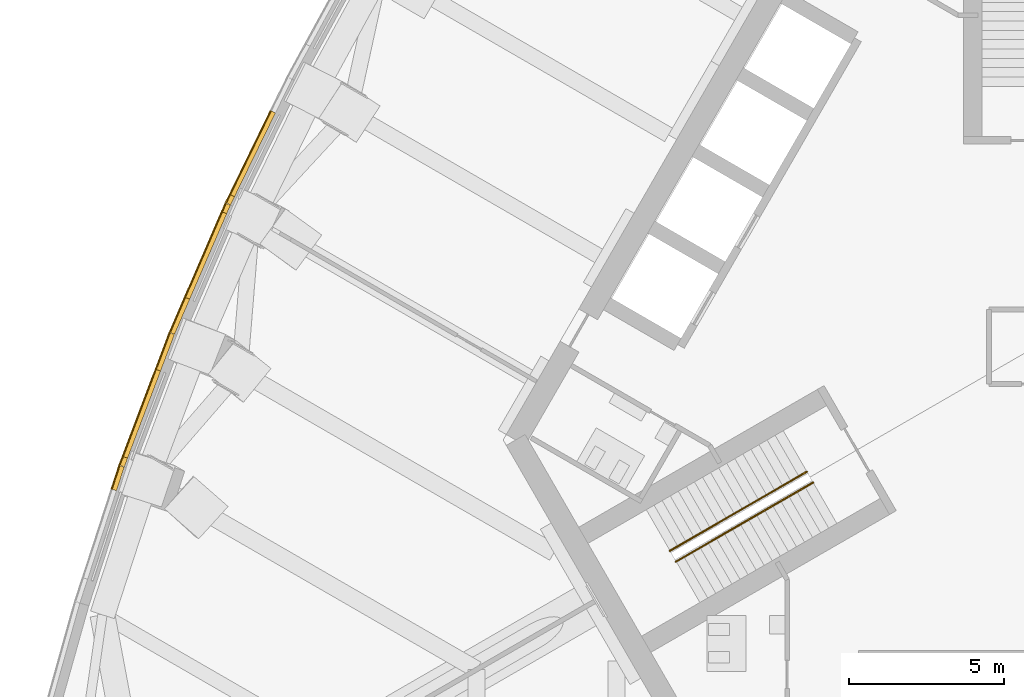
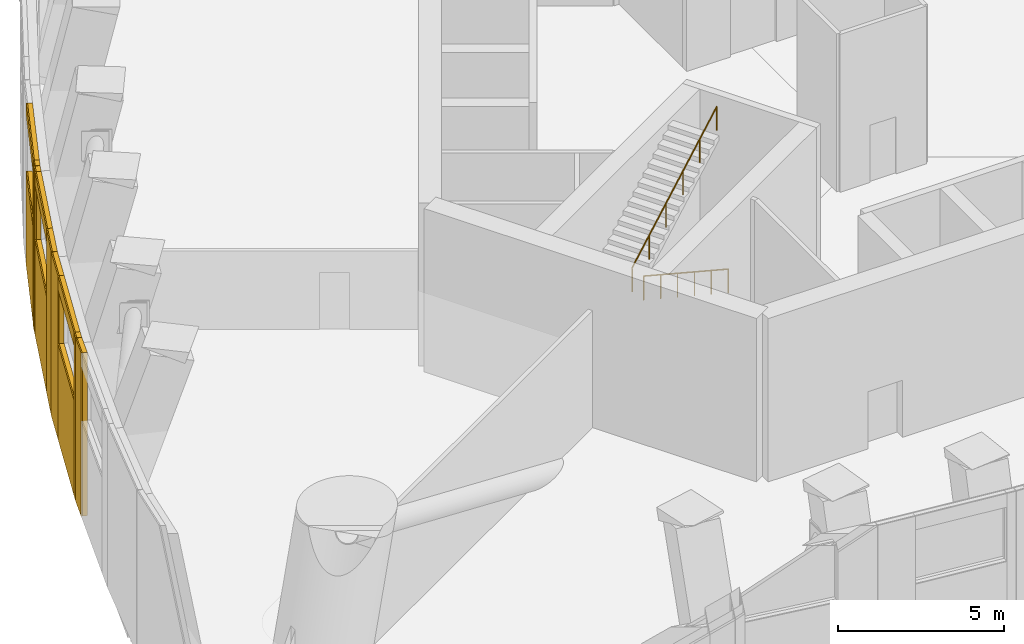
# One storey, part 12 of 22: 24 coverings, 2 railings.
"""IFC4 building model written with IfcOpenShell, lengths in metres."""

from ifc_helpers import new_model, si_unit, direction, frame, origin, origin_2d, place, context, subcontext, project, spatial, rectangle, circle, extrude, material, layer, layer_set, type_object, element, save


model = new_model("IFC4")

# Units and contexts
model_context = context("Model", 3, precision=1e-05, world=origin(), true_north=direction((0.0, 1.0)))
body_context = subcontext(model_context, "Body", "Model", "MODEL_VIEW")
ifc_project = project(units=[si_unit("LENGTHUNIT", "METRE"), si_unit("AREAUNIT", "SQUARE_METRE"), si_unit("VOLUMEUNIT", "CUBIC_METRE"), si_unit("PLANEANGLEUNIT", "RADIAN"), si_unit("MASSUNIT", "GRAM", prefix="KILO")], contexts=[model_context])

# Site, building, storey
site_placement = place(None, origin())
site = spatial("IfcSite", under=ifc_project, at=site_placement, CompositionType="ELEMENT")
building_placement = place(site_placement, origin())
building = spatial("IfcBuilding", under=site, at=building_placement, Name="Trefoil Bronze Tower", CompositionType="ELEMENT")
storey_placement = place(building_placement, frame((0.0, 0.0, 265.300048828125)))
storey = spatial("IfcBuildingStorey", under=building, at=storey_placement, Name="L61", CompositionType="ELEMENT", Elevation=265.300048828125)

# Coverings
ifc_material_1 = material(Name="Bronze-finish aluminium rainscreen panel on aluminium rails", Category="aluminium")
ifc_layer_1 = layer(ifc_material_1, 0.0400390625)
ifc_layer_set_1 = layer_set([ifc_layer_1], Name="Bronze cladding panel 40")
covering_type_1 = type_object("IfcCoveringType", Name="Bronze cladding panel 40", PredefinedType="CLADDING", material=ifc_layer_set_1)
covering_1_placement = place(storey_placement, frame((-26.01416015625, 4.774169921875, 0.0), z_axis=(0.0, 0.0, 1.0), x_axis=(-0.439129033303, -0.898424004638, 0.0)))
element("IfcCovering", 1, at=covering_1_placement, inside=storey, type_object=covering_type_1, Name="Cladding panel L61 Face 3.8 piece 2", PredefinedType="CLADDING", context=body_context, shape_type="SweptSolid", body=[
    extrude(rectangle(XDim=0.300048828125, YDim=0.0400390625, at=origin_2d()), origin(), (0.0, 0.0, 1.0), 6.0),
])
covering_2_placement = place(storey_placement, frame((-25.28955078125, 6.256591796875, 0.0), z_axis=(0.0, 0.0, 1.0), x_axis=(-0.439129033303, -0.898424004638, 0.0)))
element("IfcCovering", 2, at=covering_2_placement, inside=storey, type_object=covering_type_1, Name="Cladding panel L61 Face 3.8 piece 3", PredefinedType="CLADDING", context=body_context, shape_type="SweptSolid", body=[
    extrude(rectangle(XDim=3.0, YDim=0.0400390625, at=origin_2d()), origin(), (0.0, 0.0, 1.0), 3.5),
])
covering_3_placement = place(storey_placement, frame((-25.28955078125, 6.256591796875, 5.5), z_axis=(0.0, 0.0, 1.0), x_axis=(-0.439129033303, -0.898424004638, 0.0)))
element("IfcCovering", 3, at=covering_3_placement, inside=storey, type_object=covering_type_1, Name="Cladding panel L61 Face 3.8 piece 4", PredefinedType="CLADDING", context=body_context, shape_type="SweptSolid", body=[
    extrude(rectangle(XDim=3.0, YDim=0.0400390625, at=origin_2d()), origin(), (0.0, 0.0, 1.0), 0.5),
])
covering_4_placement = place(storey_placement, frame((-26.145751953125, 4.488525390625, 0.0), z_axis=(0.0, 0.0, 1.0), x_axis=(-0.397220305796, -0.917723285453, 0.0)))
element("IfcCovering", 4, at=covering_4_placement, inside=storey, type_object=covering_type_1, Name="Cladding panel L61 Face 3.9 piece 1", PredefinedType="CLADDING", context=body_context, shape_type="SweptSolid", body=[
    extrude(rectangle(XDim=0.300048828125, YDim=0.0400390625, at=origin_2d()), origin(), (0.0, 0.0, 1.0), 6.0),
])
covering_5_placement = place(storey_placement, frame((-27.64111328125, 1.033203125, 0.0), z_axis=(0.0, 0.0, 1.0), x_axis=(-0.397220305796, -0.917723285453, 0.0)))
element("IfcCovering", 5, at=covering_5_placement, inside=storey, type_object=covering_type_1, Name="Cladding panel L61 Face 3.9 piece 2", PredefinedType="CLADDING", context=body_context, shape_type="SweptSolid", body=[
    extrude(rectangle(XDim=1.22998046875, YDim=0.0400390625, at=origin_2d()), origin(), (0.0, 0.0, 1.0), 6.0),
])
covering_6_placement = place(storey_placement, frame((-26.801025390625, 2.97412109375, 0.0), z_axis=(0.0, 0.0, 1.0), x_axis=(-0.397220305796, -0.917723285453, 0.0)))
element("IfcCovering", 6, at=covering_6_placement, inside=storey, type_object=covering_type_1, Name="Cladding panel L61 Face 3.9 piece 3", PredefinedType="CLADDING", context=body_context, shape_type="SweptSolid", body=[
    extrude(rectangle(XDim=3.0, YDim=0.0400390625, at=origin_2d()), origin(), (0.0, 0.0, 1.0), 3.5),
])
covering_7_placement = place(storey_placement, frame((-26.801025390625, 2.97412109375, 5.5), z_axis=(0.0, 0.0, 1.0), x_axis=(-0.397220305796, -0.917723285453, 0.0)))
element("IfcCovering", 7, at=covering_7_placement, inside=storey, type_object=covering_type_1, Name="Cladding panel L61 Face 3.9 piece 4", PredefinedType="CLADDING", context=body_context, shape_type="SweptSolid", body=[
    extrude(rectangle(XDim=3.0, YDim=0.0400390625, at=origin_2d()), origin(), (0.0, 0.0, 1.0), 0.5),
])
covering_8_placement = place(storey_placement, frame((-28.114013671875, -0.1337890625, 0.0), z_axis=(0.0, 0.0, 1.0), x_axis=(-0.354233936452, -0.935156841533, 0.0)))
element("IfcCovering", 8, at=covering_8_placement, inside=storey, type_object=covering_type_1, Name="Cladding panel L61 Face 3.10 piece 1", PredefinedType="CLADDING", context=body_context, shape_type="SweptSolid", body=[
    extrude(rectangle(XDim=1.25927734375, YDim=0.0400390625, at=origin_2d()), origin(), (0.0, 0.0, 1.0), 6.0),
])
covering_9_placement = place(storey_placement, frame((-29.453125, -3.66845703125, 0.0), z_axis=(0.0, 0.0, 1.0), x_axis=(-0.354233936452, -0.935156841533, 0.0)))
element("IfcCovering", 9, at=covering_9_placement, inside=storey, type_object=covering_type_1, Name="Cladding panel L61 Face 3.10 piece 2", PredefinedType="CLADDING", context=body_context, shape_type="SweptSolid", body=[
    extrude(rectangle(XDim=0.300048828125, YDim=0.0400390625, at=origin_2d()), origin(), (0.0, 0.0, 1.0), 6.0),
])
covering_10_placement = place(storey_placement, frame((-28.868408203125, -2.125244140625, 0.0), z_axis=(0.0, 0.0, 1.0), x_axis=(-0.354233936452, -0.935156841533, 0.0)))
element("IfcCovering", 10, at=covering_10_placement, inside=storey, type_object=covering_type_1, Name="Cladding panel L61 Face 3.10 piece 3", PredefinedType="CLADDING", context=body_context, shape_type="SweptSolid", body=[
    extrude(rectangle(XDim=3.0, YDim=0.0400390625, at=origin_2d()), origin(), (0.0, 0.0, 1.0), 3.5),
])
covering_11_placement = place(storey_placement, frame((-28.868408203125, -2.125244140625, 5.5), z_axis=(0.0, 0.0, 1.0), x_axis=(-0.354233936452, -0.935156841533, 0.0)))
element("IfcCovering", 11, at=covering_11_placement, inside=storey, type_object=covering_type_1, Name="Cladding panel L61 Face 3.10 piece 4", PredefinedType="CLADDING", context=body_context, shape_type="SweptSolid", body=[
    extrude(rectangle(XDim=3.0, YDim=0.0400390625, at=origin_2d()), origin(), (0.0, 0.0, 1.0), 0.5),
])
covering_12_placement = place(storey_placement, frame((-29.635009765625, -4.202880859375, 0.0), z_axis=(0.0, 0.0, 1.0), x_axis=(-0.310148591987, -0.950688093377, 0.0)))
element("IfcCovering", 12, at=covering_12_placement, inside=storey, type_object=covering_type_1, Name="Cladding panel L61 Face 3.11 piece 1", PredefinedType="CLADDING", context=body_context, shape_type="SweptSolid", body=[
    extrude(rectangle(XDim=0.7998046875, YDim=0.0400390625, at=origin_2d()), origin(), (0.0, 0.0, 1.0), 6.0),
])

# Railings
ifc_material_2 = material(Name="Steel handrail", Category="steel")
railing_type = type_object("IfcRailingType", Name="Handrail 900", PredefinedType="HANDRAIL", material=ifc_material_2)
railing_1_placement = place(storey_placement, frame((-7.166015625, -4.3681640625, 0.16650390625)))
element("IfcRailing", 13, at=railing_1_placement, inside=storey, type_object=railing_type, Name="Handrail ST3 flight 1 L61", PredefinedType="HANDRAIL", context=body_context, shape_type="SweptSolid", body=[
    extrude(circle(Radius=0.02392578125, at=origin_2d()), frame((0.0, 0.0, 0.8759765625), z_axis=(-0.757030734863, -0.437078438209, 0.485661307215), x_axis=(0.500005610874, -0.86602216432, 0.0)), (0.0, 0.0, 1.0), 5.834228515625),
    extrude(circle(Radius=0.02099609375, at=origin_2d()), origin(), (0.0, 0.0, 1.0), 0.851806640625),
    extrude(circle(Radius=0.02099609375, at=origin_2d()), frame((-0.88330078125, -0.510009765625, 0.566650390625)), (0.0, 0.0, 1.0), 0.851806640625),
    extrude(circle(Radius=0.02099609375, at=origin_2d()), frame((-1.7666015625, -1.02001953125, 1.13330078125)), (0.0, 0.0, 1.0), 0.851806640625),
    extrude(circle(Radius=0.02099609375, at=origin_2d()), frame((-2.650146484375, -1.530029296875, 1.7001953125)), (0.0, 0.0, 1.0), 0.851806640625),
    extrude(circle(Radius=0.02099609375, at=origin_2d()), frame((-3.533447265625, -2.0400390625, 2.266845703125)), (0.0, 0.0, 1.0), 0.851806640625),
    extrude(circle(Radius=0.02099609375, at=origin_2d()), frame((-4.416748046875, -2.550048828125, 2.83349609375)), (0.0, 0.0, 1.0), 0.851806640625),
])
railing_2_placement = place(storey_placement, frame((-11.78271484375, -6.57177734375, 3.16650390625)))
element("IfcRailing", 14, at=railing_2_placement, inside=storey, type_object=railing_type, Name="Handrail ST3 flight 2 L61", PredefinedType="HANDRAIL", context=body_context, shape_type="SweptSolid", body=[
    extrude(circle(Radius=0.02392578125, at=origin_2d()), frame((0.0, 0.0, 0.8759765625), z_axis=(0.757030734863, 0.437078438209, 0.485661307215), x_axis=(-0.500005610874, 0.86602216432, 0.0)), (0.0, 0.0, 1.0), 5.834228515625),
    extrude(circle(Radius=0.02099609375, at=origin_2d()), origin(), (0.0, 0.0, 1.0), 0.851806640625),
    extrude(circle(Radius=0.02099609375, at=origin_2d()), frame((0.88330078125, 0.510009765625, 0.566650390625)), (0.0, 0.0, 1.0), 0.851806640625),
    extrude(circle(Radius=0.02099609375, at=origin_2d()), frame((1.7666015625, 1.02001953125, 1.13330078125)), (0.0, 0.0, 1.0), 0.851806640625),
    extrude(circle(Radius=0.02099609375, at=origin_2d()), frame((2.650146484375, 1.530029296875, 1.7001953125)), (0.0, 0.0, 1.0), 0.851806640625),
    extrude(circle(Radius=0.02099609375, at=origin_2d()), frame((3.533447265625, 2.0400390625, 2.266845703125)), (0.0, 0.0, 1.0), 0.851806640625),
    extrude(circle(Radius=0.02099609375, at=origin_2d()), frame((4.416748046875, 2.550048828125, 2.83349609375)), (0.0, 0.0, 1.0), 0.851806640625),
])

# Coverings
ifc_material_3 = material(Name="Non-combustible mineral wool slab", Category="insulation")
ifc_layer_2 = layer(ifc_material_3, 0.14990234375)
ifc_layer_set_2 = layer_set([ifc_layer_2], Name="Rainscreen insulation 150")
covering_type_2 = type_object("IfcCoveringType", Name="Rainscreen insulation 150", PredefinedType="INSULATION", material=ifc_layer_set_2)
covering_13_placement = place(storey_placement, frame((-25.9287109375, 4.732421875, 0.0), z_axis=(0.0, 0.0, 1.0), x_axis=(-0.439129033303, -0.898424004638, 0.0)))
element("IfcCovering", 15, at=covering_13_placement, inside=storey, type_object=covering_type_2, Name="Insulation L61 Face 3.8 piece 2", PredefinedType="INSULATION", context=body_context, shape_type="SweptSolid", body=[
    extrude(rectangle(XDim=0.300048828125, YDim=0.14990234375, at=origin_2d()), origin(), (0.0, 0.0, 1.0), 6.0),
])
covering_14_placement = place(storey_placement, frame((-25.2041015625, 6.21484375, 0.0), z_axis=(0.0, 0.0, 1.0), x_axis=(-0.439129033303, -0.898424004638, 0.0)))
element("IfcCovering", 16, at=covering_14_placement, inside=storey, type_object=covering_type_2, Name="Insulation L61 Face 3.8 piece 3", PredefinedType="INSULATION", context=body_context, shape_type="SweptSolid", body=[
    extrude(rectangle(XDim=3.0, YDim=0.14990234375, at=origin_2d()), origin(), (0.0, 0.0, 1.0), 3.5),
])
covering_15_placement = place(storey_placement, frame((-25.2041015625, 6.21484375, 5.5), z_axis=(0.0, 0.0, 1.0), x_axis=(-0.439129033303, -0.898424004638, 0.0)))
element("IfcCovering", 17, at=covering_15_placement, inside=storey, type_object=covering_type_2, Name="Insulation L61 Face 3.8 piece 4", PredefinedType="INSULATION", context=body_context, shape_type="SweptSolid", body=[
    extrude(rectangle(XDim=3.0, YDim=0.14990234375, at=origin_2d()), origin(), (0.0, 0.0, 1.0), 0.5),
])
covering_16_placement = place(storey_placement, frame((-26.05859375, 4.45068359375, 0.0), z_axis=(0.0, 0.0, 1.0), x_axis=(-0.397220305796, -0.917723285453, 0.0)))
element("IfcCovering", 18, at=covering_16_placement, inside=storey, type_object=covering_type_2, Name="Insulation L61 Face 3.9 piece 1", PredefinedType="INSULATION", context=body_context, shape_type="SweptSolid", body=[
    extrude(rectangle(XDim=0.300048828125, YDim=0.14990234375, at=origin_2d()), origin(), (0.0, 0.0, 1.0), 6.0),
])
covering_17_placement = place(storey_placement, frame((-27.553955078125, 0.995361328125, 0.0), z_axis=(0.0, 0.0, 1.0), x_axis=(-0.397220305796, -0.917723285453, 0.0)))
element("IfcCovering", 19, at=covering_17_placement, inside=storey, type_object=covering_type_2, Name="Insulation L61 Face 3.9 piece 2", PredefinedType="INSULATION", context=body_context, shape_type="SweptSolid", body=[
    extrude(rectangle(XDim=1.22998046875, YDim=0.14990234375, at=origin_2d()), origin(), (0.0, 0.0, 1.0), 6.0),
])
covering_18_placement = place(storey_placement, frame((-26.7138671875, 2.9365234375, 0.0), z_axis=(0.0, 0.0, 1.0), x_axis=(-0.397220305796, -0.917723285453, 0.0)))
element("IfcCovering", 20, at=covering_18_placement, inside=storey, type_object=covering_type_2, Name="Insulation L61 Face 3.9 piece 3", PredefinedType="INSULATION", context=body_context, shape_type="SweptSolid", body=[
    extrude(rectangle(XDim=3.0, YDim=0.14990234375, at=origin_2d()), origin(), (0.0, 0.0, 1.0), 3.5),
])
covering_19_placement = place(storey_placement, frame((-26.7138671875, 2.9365234375, 5.5), z_axis=(0.0, 0.0, 1.0), x_axis=(-0.397220305796, -0.917723285453, 0.0)))
element("IfcCovering", 21, at=covering_19_placement, inside=storey, type_object=covering_type_2, Name="Insulation L61 Face 3.9 piece 4", PredefinedType="INSULATION", context=body_context, shape_type="SweptSolid", body=[
    extrude(rectangle(XDim=3.0, YDim=0.14990234375, at=origin_2d()), origin(), (0.0, 0.0, 1.0), 0.5),
])
covering_20_placement = place(storey_placement, frame((-28.025390625, -0.16748046875, 0.0), z_axis=(0.0, 0.0, 1.0), x_axis=(-0.354233936452, -0.935156841533, 0.0)))
element("IfcCovering", 22, at=covering_20_placement, inside=storey, type_object=covering_type_2, Name="Insulation L61 Face 3.10 piece 1", PredefinedType="INSULATION", context=body_context, shape_type="SweptSolid", body=[
    extrude(rectangle(XDim=1.25927734375, YDim=0.14990234375, at=origin_2d()), origin(), (0.0, 0.0, 1.0), 6.0),
])
covering_21_placement = place(storey_placement, frame((-29.3642578125, -3.701904296875, 0.0), z_axis=(0.0, 0.0, 1.0), x_axis=(-0.354233936452, -0.935156841533, 0.0)))
element("IfcCovering", 23, at=covering_21_placement, inside=storey, type_object=covering_type_2, Name="Insulation L61 Face 3.10 piece 2", PredefinedType="INSULATION", context=body_context, shape_type="SweptSolid", body=[
    extrude(rectangle(XDim=0.300048828125, YDim=0.14990234375, at=origin_2d()), origin(), (0.0, 0.0, 1.0), 6.0),
])
covering_22_placement = place(storey_placement, frame((-28.77978515625, -2.158935546875, 0.0), z_axis=(0.0, 0.0, 1.0), x_axis=(-0.354233936452, -0.935156841533, 0.0)))
element("IfcCovering", 24, at=covering_22_placement, inside=storey, type_object=covering_type_2, Name="Insulation L61 Face 3.10 piece 3", PredefinedType="INSULATION", context=body_context, shape_type="SweptSolid", body=[
    extrude(rectangle(XDim=3.0, YDim=0.14990234375, at=origin_2d()), origin(), (0.0, 0.0, 1.0), 3.5),
])
covering_23_placement = place(storey_placement, frame((-28.77978515625, -2.158935546875, 5.5), z_axis=(0.0, 0.0, 1.0), x_axis=(-0.354233936452, -0.935156841533, 0.0)))
element("IfcCovering", 25, at=covering_23_placement, inside=storey, type_object=covering_type_2, Name="Insulation L61 Face 3.10 piece 4", PredefinedType="INSULATION", context=body_context, shape_type="SweptSolid", body=[
    extrude(rectangle(XDim=3.0, YDim=0.14990234375, at=origin_2d()), origin(), (0.0, 0.0, 1.0), 0.5),
])
covering_24_placement = place(storey_placement, frame((-29.544921875, -4.232421875, 0.0), z_axis=(0.0, 0.0, 1.0), x_axis=(-0.310148591987, -0.950688093377, 0.0)))
element("IfcCovering", 26, at=covering_24_placement, inside=storey, type_object=covering_type_2, Name="Insulation L61 Face 3.11 piece 1", PredefinedType="INSULATION", context=body_context, shape_type="SweptSolid", body=[
    extrude(rectangle(XDim=0.7998046875, YDim=0.14990234375, at=origin_2d()), origin(), (0.0, 0.0, 1.0), 6.0),
])

save(model, "model.ifc")
